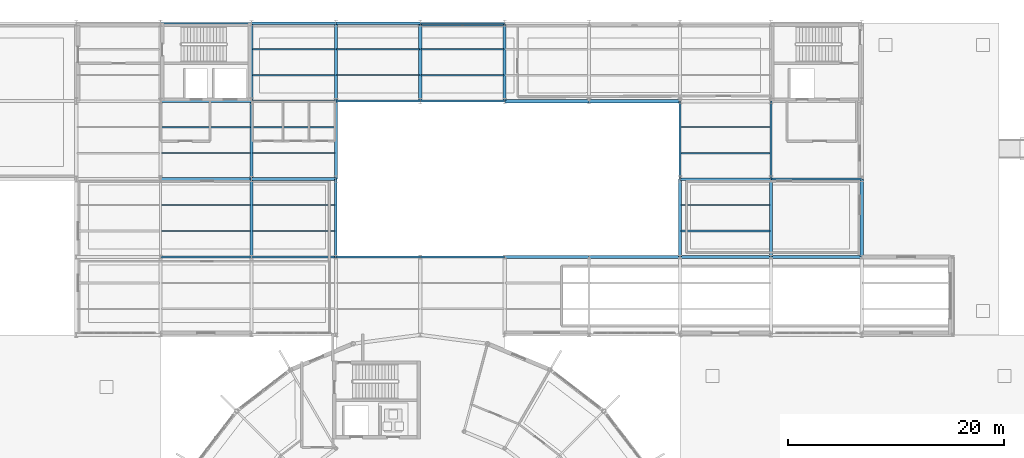
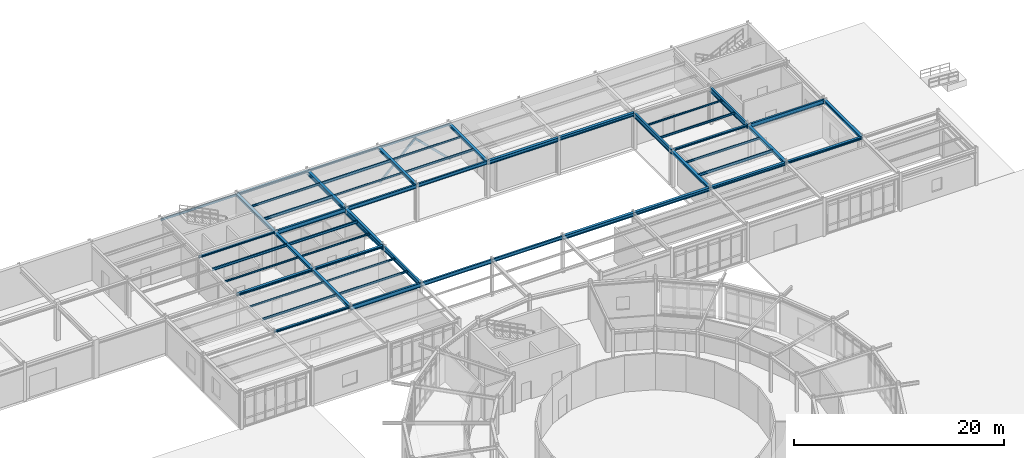
# One storey, part 49 of 101: 53 beams, 2 members.
"""IFC4 building model written with IfcOpenShell, lengths in metres."""

from ifc_helpers import new_model, si_unit, derived_unit, direction, frame, origin, origin_2d, place, context, subcontext, project, spatial, hollow_rectangle, i_section, extrude, material, material_profile, profile_set, type_object, element, save


model = new_model("IFC4")

# Units and contexts
model_context = context("Model", 3, precision=1e-05, world=origin(), true_north=direction((0.0, 1.0)))
body_context = subcontext(model_context, "Body", "Model", "MODEL_VIEW")
ifc_project = project(units=[si_unit("LENGTHUNIT", "METRE"), si_unit("AREAUNIT", "SQUARE_METRE"), si_unit("VOLUMEUNIT", "CUBIC_METRE"), si_unit("PLANEANGLEUNIT", "RADIAN"), si_unit("MASSUNIT", "GRAM", prefix="KILO"), derived_unit("THERMALTRANSMITTANCEUNIT", [(si_unit("POWERUNIT", "WATT"), 1), (si_unit("AREAUNIT", "SQUARE_METRE"), -1), (si_unit("THERMODYNAMICTEMPERATUREUNIT", "KELVIN"), -1)])], contexts=[model_context])

# Site, building, storey
site_placement = place(None, origin())
site = spatial("IfcSite", under=ifc_project, at=site_placement, CompositionType="ELEMENT")
building_placement = place(site_placement, origin())
building = spatial("IfcBuilding", under=site, at=building_placement, Name="Yasenodar Specialist Clinic", CompositionType="ELEMENT")
storey_placement = place(building_placement, origin())
storey = spatial("IfcBuildingStorey", under=building, at=storey_placement, Name="L00", CompositionType="ELEMENT", Elevation=0.0)

# Beams
ifc_material = material(Name="Steel S355", Category="steel")
ifc_material_profile_1 = material_profile(ifc_material, i_section(OverallWidth=0.219970703125, OverallDepth=0.2099609375, WebThickness=0.007080078125, FlangeThickness=0.010986328125, FilletRadius=0.01806640625, at=origin_2d()), Name="HEA 220")
ifc_profile_set_1 = profile_set([ifc_material_profile_1], Name="Steel S355")
beam_type_1 = type_object("IfcBeamType", Name="BM-HEA220", PredefinedType="BEAM", material=ifc_profile_set_1)
for number, where, z_axis, x_axis, name in (
    (1, (57.0, 90.0, 4.14501953125), (1.0, 0.0, 0.0), (0.0, 1.0, 0.0), "L00 Primary E-W Girder"),
    (2, (105.0, 97.199951171875, 4.14501953125), (1.0, 0.0, 0.0), (0.0, 1.0, 0.0), "L00 Primary E-W Girder"),
    (3, (57.0, 104.39990234375, 4.14501953125), (1.0, 0.0, 0.0), (0.0, 1.0, 0.0), "L00 Primary E-W Girder"),
):
    element("IfcBeam", number, at=place(storey_placement, frame(where, z_axis=z_axis, x_axis=x_axis)), inside=storey, type_object=beam_type_1, Name=name, PredefinedType="BEAM", context=body_context, shape_type="SweptSolid", body=[
        extrude(i_section(OverallWidth=0.219970703125, OverallDepth=0.2099609375, WebThickness=0.007080078125, FlangeThickness=0.010986328125, FilletRadius=0.01806640625, at=origin_2d()), origin(), (0.0, 0.0, 1.0), 8.39990234375),
    ])
ifc_material_profile_2 = material_profile(ifc_material, i_section(OverallWidth=0.260009765625, OverallDepth=0.25, WebThickness=0.007568359375, FlangeThickness=0.012451171875, FilletRadius=0.02392578125, at=origin_2d()), Name="HEA 260")
ifc_profile_set_2 = profile_set([ifc_material_profile_2], Name="Steel S355")
beam_type_2 = type_object("IfcBeamType", Name="BM-HEA260", PredefinedType="BEAM", material=ifc_profile_set_2)
beam_1_placement = place(storey_placement, frame((65.39990234375, 97.199951171875, 4.125), z_axis=(1.0, 0.0, 0.0), x_axis=(0.0, 1.0, 0.0)))
element("IfcBeam", 4, at=beam_1_placement, inside=storey, type_object=beam_type_2, Name="L00 Primary E-W Girder", PredefinedType="BEAM", context=body_context, shape_type="SweptSolid", body=[
    extrude(i_section(OverallWidth=0.260009765625, OverallDepth=0.25, WebThickness=0.007568359375, FlangeThickness=0.012451171875, FilletRadius=0.02392578125, at=origin_2d()), origin(), (0.0, 0.0, 1.0), 7.800048828125),
])
ifc_material_profile_3 = material_profile(ifc_material, i_section(OverallWidth=0.280029296875, OverallDepth=0.27001953125, WebThickness=0.008056640625, FlangeThickness=0.012939453125, FilletRadius=0.02392578125, at=origin_2d()), Name="HEA 280")
ifc_profile_set_3 = profile_set([ifc_material_profile_3], Name="Steel S355")
beam_type_3 = type_object("IfcBeamType", Name="BM-HEA280", PredefinedType="BEAM", material=ifc_profile_set_3)
beam_2_placement = place(storey_placement, frame((113.39990234375, 90.0, 4.114990234375), z_axis=(1.0, 0.0, 0.0), x_axis=(0.0, 1.0, 0.0)))
element("IfcBeam", 5, at=beam_2_placement, inside=storey, type_object=beam_type_3, Name="L00 Primary E-W Girder", PredefinedType="BEAM", context=body_context, shape_type="SweptSolid", body=[
    extrude(i_section(OverallWidth=0.280029296875, OverallDepth=0.27001953125, WebThickness=0.008056640625, FlangeThickness=0.012939453125, FilletRadius=0.02392578125, at=origin_2d()), origin(), (0.0, 0.0, 1.0), 8.400146484375),
])
beam_3_placement = place(storey_placement, frame((57.0, 97.199951171875, 4.114990234375), z_axis=(1.0, 0.0, 0.0), x_axis=(0.0, 1.0, 0.0)))
element("IfcBeam", 6, at=beam_3_placement, inside=storey, type_object=beam_type_3, Name="L00 Primary E-W Girder", PredefinedType="BEAM", context=body_context, shape_type="SweptSolid", body=[
    extrude(i_section(OverallWidth=0.280029296875, OverallDepth=0.27001953125, WebThickness=0.008056640625, FlangeThickness=0.012939453125, FilletRadius=0.02392578125, at=origin_2d()), origin(), (0.0, 0.0, 1.0), 8.39990234375),
])
ifc_material_profile_4 = material_profile(ifc_material, i_section(OverallWidth=0.300048828125, OverallDepth=0.2900390625, WebThickness=0.008544921875, FlangeThickness=0.013916015625, FilletRadius=0.027099609375, at=origin_2d()), Name="HEA 300")
ifc_profile_set_4 = profile_set([ifc_material_profile_4], Name="Steel S355")
beam_type_4 = type_object("IfcBeamType", Name="BM-HEA300", PredefinedType="BEAM", material=ifc_profile_set_4)
for number, where, z_axis, x_axis, name in (
    (7, (105.0, 90.0, 4.10498046875), (0.0, 1.0, 0.0), (-1.0, 0.0, 0.0), "L00 Primary N-S Girder"),
    (8, (113.39990234375, 90.0, 4.10498046875), (0.0, 1.0, 0.0), (-1.0, 0.0, 0.0), "L00 Primary N-S Girder"),
):
    element("IfcBeam", number, at=place(storey_placement, frame(where, z_axis=z_axis, x_axis=x_axis)), inside=storey, type_object=beam_type_4, Name=name, PredefinedType="BEAM", context=body_context, shape_type="SweptSolid", body=[
        extrude(i_section(OverallWidth=0.300048828125, OverallDepth=0.2900390625, WebThickness=0.008544921875, FlangeThickness=0.013916015625, FilletRadius=0.027099609375, at=origin_2d()), origin(), (0.0, 0.0, 1.0), 7.199951171875),
    ])
ifc_material_profile_5 = material_profile(ifc_material, i_section(OverallWidth=0.300048828125, OverallDepth=0.330078125, WebThickness=0.009521484375, FlangeThickness=0.0166015625, FilletRadius=0.027099609375, at=origin_2d()), Name="HEA 340")
ifc_profile_set_5 = profile_set([ifc_material_profile_5], Name="Steel S355")
beam_type_5 = type_object("IfcBeamType", Name="BM-HEA340", PredefinedType="BEAM", material=ifc_profile_set_5)
beam_4_placement = place(storey_placement, frame((105.0, 90.0, 4.0849609375), z_axis=(1.0, 0.0, 0.0), x_axis=(0.0, 1.0, 0.0)))
element("IfcBeam", 9, at=beam_4_placement, inside=storey, type_object=beam_type_5, Name="L00 Primary E-W Girder", PredefinedType="BEAM", context=body_context, shape_type="SweptSolid", body=[
    extrude(i_section(OverallWidth=0.300048828125, OverallDepth=0.330078125, WebThickness=0.009521484375, FlangeThickness=0.0166015625, FilletRadius=0.027099609375, at=origin_2d()), origin(), (0.0, 0.0, 1.0), 8.39990234375),
])
ifc_material_profile_6 = material_profile(ifc_material, i_section(OverallWidth=0.300048828125, OverallDepth=0.389892578125, WebThickness=0.010986328125, FlangeThickness=0.01904296875, FilletRadius=0.027099609375, at=origin_2d()), Name="HEA 400")
ifc_profile_set_6 = profile_set([ifc_material_profile_6], Name="Steel S355")
beam_type_6 = type_object("IfcBeamType", Name="BM-HEA400", PredefinedType="BEAM", material=ifc_profile_set_6)
for number, where, z_axis, x_axis, name in (
    (10, (96.60009765625, 90.0, 4.054931640625), (1.0, 0.0, 0.0), (0.0, 1.0, 0.0), "L00 Primary E-W Girder"),
    (11, (96.60009765625, 104.39990234375, 4.054931640625), (1.0, 0.0, 0.0), (0.0, 1.0, 0.0), "L00 Primary E-W Girder"),
):
    element("IfcBeam", number, at=place(storey_placement, frame(where, z_axis=z_axis, x_axis=x_axis)), inside=storey, type_object=beam_type_6, Name=name, PredefinedType="BEAM", context=body_context, shape_type="SweptSolid", body=[
        extrude(i_section(OverallWidth=0.300048828125, OverallDepth=0.389892578125, WebThickness=0.010986328125, FlangeThickness=0.01904296875, FilletRadius=0.027099609375, at=origin_2d()), origin(), (0.0, 0.0, 1.0), 8.39990234375),
    ])
ifc_material_profile_7 = material_profile(ifc_material, i_section(OverallWidth=0.300048828125, OverallDepth=0.43994140625, WebThickness=0.011474609375, FlangeThickness=0.02099609375, FilletRadius=0.027099609375, at=origin_2d()), Name="HEA 450")
ifc_profile_set_7 = profile_set([ifc_material_profile_7], Name="Steel S355")
beam_type_7 = type_object("IfcBeamType", Name="BM-HEA450", PredefinedType="BEAM", material=ifc_profile_set_7)
for number, where, z_axis, x_axis, name in (
    (12, (88.800048828125, 90.0, 4.030029296875), (1.0, 0.0, 0.0), (0.0, 1.0, 0.0), "L00 Primary E-W Girder"),
    (13, (88.800048828125, 104.39990234375, 4.030029296875), (1.0, 0.0, 0.0), (0.0, 1.0, 0.0), "L00 Primary E-W Girder"),
):
    element("IfcBeam", number, at=place(storey_placement, frame(where, z_axis=z_axis, x_axis=x_axis)), inside=storey, type_object=beam_type_7, Name=name, PredefinedType="BEAM", context=body_context, shape_type="SweptSolid", body=[
        extrude(i_section(OverallWidth=0.300048828125, OverallDepth=0.43994140625, WebThickness=0.011474609375, FlangeThickness=0.02099609375, FilletRadius=0.027099609375, at=origin_2d()), origin(), (0.0, 0.0, 1.0), 7.800048828125),
    ])
ifc_material_profile_8 = material_profile(ifc_material, i_section(OverallWidth=0.280029296875, OverallDepth=0.280029296875, WebThickness=0.010498046875, FlangeThickness=0.01806640625, FilletRadius=0.02392578125, at=origin_2d()), Name="HEB 280")
ifc_profile_set_8 = profile_set([ifc_material_profile_8], Name="Steel S355")
beam_type_8 = type_object("IfcBeamType", Name="BM-HEB280", PredefinedType="BEAM", material=ifc_profile_set_8)
for number, where, z_axis, x_axis, name in (
    (14, (65.39990234375, 104.39990234375, 4.110107421875), (0.0, 1.0, 0.0), (-1.0, 0.0, 0.0), "L00 Primary N-S Girder"),
    (15, (88.800048828125, 104.39990234375, 4.110107421875), (0.0, 1.0, 0.0), (-1.0, 0.0, 0.0), "L00 Primary N-S Girder"),
):
    element("IfcBeam", number, at=place(storey_placement, frame(where, z_axis=z_axis, x_axis=x_axis)), inside=storey, type_object=beam_type_8, Name=name, PredefinedType="BEAM", context=body_context, shape_type="SweptSolid", body=[
        extrude(i_section(OverallWidth=0.280029296875, OverallDepth=0.280029296875, WebThickness=0.010498046875, FlangeThickness=0.01806640625, FilletRadius=0.02392578125, at=origin_2d()), origin(), (0.0, 0.0, 1.0), 7.2001953125),
    ])
ifc_material_profile_9 = material_profile(ifc_material, i_section(OverallWidth=0.300048828125, OverallDepth=0.300048828125, WebThickness=0.010986328125, FlangeThickness=0.01904296875, FilletRadius=0.027099609375, at=origin_2d()), Name="HEB 300")
ifc_profile_set_9 = profile_set([ifc_material_profile_9], Name="Steel S355")
beam_type_9 = type_object("IfcBeamType", Name="BM-HEB300", PredefinedType="BEAM", material=ifc_profile_set_9)
for number, where, z_axis, x_axis, name in (
    (16, (65.39990234375, 97.199951171875, 4.10009765625), (0.0, 1.0, 0.0), (-1.0, 0.0, 0.0), "L00 Primary N-S Girder"),
    (17, (121.800048828125, 90.0, 4.10009765625), (0.0, 1.0, 0.0), (-1.0, 0.0, 0.0), "L00 Primary N-S Girder"),
):
    element("IfcBeam", number, at=place(storey_placement, frame(where, z_axis=z_axis, x_axis=x_axis)), inside=storey, type_object=beam_type_9, Name=name, PredefinedType="BEAM", context=body_context, shape_type="SweptSolid", body=[
        extrude(i_section(OverallWidth=0.300048828125, OverallDepth=0.300048828125, WebThickness=0.010986328125, FlangeThickness=0.01904296875, FilletRadius=0.027099609375, at=origin_2d()), origin(), (0.0, 0.0, 1.0), 7.199951171875),
    ])
ifc_material_profile_10 = material_profile(ifc_material, i_section(OverallWidth=0.300048828125, OverallDepth=0.340087890625, WebThickness=0.011962890625, FlangeThickness=0.021484375, FilletRadius=0.027099609375, at=origin_2d()), Name="HEB 340")
ifc_profile_set_10 = profile_set([ifc_material_profile_10], Name="Steel S355")
beam_type_10 = type_object("IfcBeamType", Name="BM-HEB340", PredefinedType="BEAM", material=ifc_profile_set_10)
beam_5_placement = place(storey_placement, frame((65.39990234375, 90.0, 4.080078125), z_axis=(0.0, 1.0, 0.0), x_axis=(-1.0, 0.0, 0.0)))
element("IfcBeam", 18, at=beam_5_placement, inside=storey, type_object=beam_type_10, Name="L00 Primary N-S Girder", PredefinedType="BEAM", context=body_context, shape_type="SweptSolid", body=[
    extrude(i_section(OverallWidth=0.300048828125, OverallDepth=0.340087890625, WebThickness=0.011962890625, FlangeThickness=0.021484375, FilletRadius=0.027099609375, at=origin_2d()), origin(), (0.0, 0.0, 1.0), 7.199951171875),
])
beam_6_placement = place(storey_placement, frame((81.0, 104.39990234375, 4.080078125), z_axis=(0.0, 1.0, 0.0), x_axis=(-1.0, 0.0, 0.0)))
element("IfcBeam", 19, at=beam_6_placement, inside=storey, type_object=beam_type_10, Name="L00 Primary N-S Girder", PredefinedType="BEAM", context=body_context, shape_type="SweptSolid", body=[
    extrude(i_section(OverallWidth=0.300048828125, OverallDepth=0.340087890625, WebThickness=0.011962890625, FlangeThickness=0.021484375, FilletRadius=0.027099609375, at=origin_2d()), origin(), (0.0, 0.0, 1.0), 7.2001953125),
])
ifc_material_profile_11 = material_profile(ifc_material, i_section(OverallWidth=0.300048828125, OverallDepth=0.449951171875, WebThickness=0.013916015625, FlangeThickness=0.02587890625, FilletRadius=0.027099609375, at=origin_2d()), Name="HEB 450")
ifc_profile_set_11 = profile_set([ifc_material_profile_11], Name="Steel S355")
beam_type_11 = type_object("IfcBeamType", Name="BM-HEB450", PredefinedType="BEAM", material=ifc_profile_set_11)
beam_7_placement = place(storey_placement, frame((73.199951171875, 104.39990234375, 4.02490234375), z_axis=(0.0, 1.0, 0.0), x_axis=(-1.0, 0.0, 0.0)))
element("IfcBeam", 20, at=beam_7_placement, inside=storey, type_object=beam_type_11, Name="L00 Primary N-S Girder", PredefinedType="BEAM", context=body_context, shape_type="SweptSolid", body=[
    extrude(i_section(OverallWidth=0.300048828125, OverallDepth=0.449951171875, WebThickness=0.013916015625, FlangeThickness=0.02587890625, FilletRadius=0.027099609375, at=origin_2d()), origin(), (0.0, 0.0, 1.0), 7.2001953125),
])
ifc_material_profile_12 = material_profile(ifc_material, i_section(OverallWidth=0.300048828125, OverallDepth=0.60009765625, WebThickness=0.015380859375, FlangeThickness=0.030029296875, FilletRadius=0.027099609375, at=origin_2d()), Name="HEB 600")
ifc_profile_set_12 = profile_set([ifc_material_profile_12], Name="Steel S355")
beam_type_12 = type_object("IfcBeamType", Name="BM-HEB600", PredefinedType="BEAM", material=ifc_profile_set_12)
beam_8_placement = place(storey_placement, frame((73.199951171875, 97.199951171875, 3.949951171875), z_axis=(0.0, 1.0, 0.0), x_axis=(-1.0, 0.0, 0.0)))
element("IfcBeam", 21, at=beam_8_placement, inside=storey, type_object=beam_type_12, Name="L00 Primary N-S Girder", PredefinedType="BEAM", context=body_context, shape_type="SweptSolid", body=[
    extrude(i_section(OverallWidth=0.300048828125, OverallDepth=0.60009765625, WebThickness=0.015380859375, FlangeThickness=0.030029296875, FilletRadius=0.027099609375, at=origin_2d()), origin(), (0.0, 0.0, 1.0), 7.199951171875),
])
ifc_material_profile_13 = material_profile(ifc_material, i_section(OverallWidth=0.179931640625, OverallDepth=0.39990234375, WebThickness=0.008544921875, FlangeThickness=0.013427734375, FilletRadius=0.02099609375, at=origin_2d()), Name="IPE 400")
ifc_profile_set_13 = profile_set([ifc_material_profile_13], Name="Steel S355")
beam_type_13 = type_object("IfcBeamType", Name="BM-IPE400", PredefinedType="BEAM", material=ifc_profile_set_13)
for number, where, z_axis, x_axis, name in (
    (22, (81.0, 90.0, 4.050048828125), (1.0, 0.0, 0.0), (0.0, 1.0, 0.0), "L00 Primary E-W Girder"),
    (23, (81.0, 104.39990234375, 4.050048828125), (1.0, 0.0, 0.0), (0.0, 1.0, 0.0), "L00 Primary E-W Girder"),
):
    element("IfcBeam", number, at=place(storey_placement, frame(where, z_axis=z_axis, x_axis=x_axis)), inside=storey, type_object=beam_type_13, Name=name, PredefinedType="BEAM", context=body_context, shape_type="SweptSolid", body=[
        extrude(i_section(OverallWidth=0.179931640625, OverallDepth=0.39990234375, WebThickness=0.008544921875, FlangeThickness=0.013427734375, FilletRadius=0.02099609375, at=origin_2d()), origin(), (0.0, 0.0, 1.0), 7.800048828125),
    ])
ifc_material_profile_14 = material_profile(ifc_material, i_section(OverallWidth=0.18994140625, OverallDepth=0.449951171875, WebThickness=0.009521484375, FlangeThickness=0.0146484375, FilletRadius=0.02099609375, at=origin_2d()), Name="IPE 450")
ifc_profile_set_14 = profile_set([ifc_material_profile_14], Name="Steel S355")
beam_type_14 = type_object("IfcBeamType", Name="BM-IPE450", PredefinedType="BEAM", material=ifc_profile_set_14)
for number, where, z_axis, x_axis, name in (
    (24, (73.199951171875, 90.0, 4.02490234375), (1.0, 0.0, 0.0), (0.0, 1.0, 0.0), "L00 Primary E-W Girder"),
    (25, (73.199951171875, 104.39990234375, 4.02490234375), (1.0, 0.0, 0.0), (0.0, 1.0, 0.0), "L00 Primary E-W Girder"),
):
    element("IfcBeam", number, at=place(storey_placement, frame(where, z_axis=z_axis, x_axis=x_axis)), inside=storey, type_object=beam_type_14, Name=name, PredefinedType="BEAM", context=body_context, shape_type="SweptSolid", body=[
        extrude(i_section(OverallWidth=0.18994140625, OverallDepth=0.449951171875, WebThickness=0.009521484375, FlangeThickness=0.0146484375, FilletRadius=0.02099609375, at=origin_2d()), origin(), (0.0, 0.0, 1.0), 7.800048828125),
    ])
ifc_material_profile_15 = material_profile(ifc_material, i_section(OverallWidth=0.199951171875, OverallDepth=0.5, WebThickness=0.01025390625, FlangeThickness=0.01611328125, FilletRadius=0.02099609375, at=origin_2d()), Name="IPE 500")
ifc_profile_set_15 = profile_set([ifc_material_profile_15], Name="Steel S355")
beam_type_15 = type_object("IfcBeamType", Name="BM-IPE500", PredefinedType="BEAM", material=ifc_profile_set_15)
beam_9_placement = place(storey_placement, frame((65.39990234375, 90.0, 4.0), z_axis=(1.0, 0.0, 0.0), x_axis=(0.0, 1.0, 0.0)))
element("IfcBeam", 26, at=beam_9_placement, inside=storey, type_object=beam_type_15, Name="L00 Primary E-W Girder", PredefinedType="BEAM", context=body_context, shape_type="SweptSolid", body=[
    extrude(i_section(OverallWidth=0.199951171875, OverallDepth=0.5, WebThickness=0.01025390625, FlangeThickness=0.01611328125, FilletRadius=0.02099609375, at=origin_2d()), origin(), (0.0, 0.0, 1.0), 7.800048828125),
])
beam_10_placement = place(storey_placement, frame((113.39990234375, 97.199951171875, 4.0), z_axis=(1.0, 0.0, 0.0), x_axis=(0.0, 1.0, 0.0)))
element("IfcBeam", 27, at=beam_10_placement, inside=storey, type_object=beam_type_15, Name="L00 Primary E-W Girder", PredefinedType="BEAM", context=body_context, shape_type="SweptSolid", body=[
    extrude(i_section(OverallWidth=0.199951171875, OverallDepth=0.5, WebThickness=0.01025390625, FlangeThickness=0.01611328125, FilletRadius=0.02099609375, at=origin_2d()), origin(), (0.0, 0.0, 1.0), 8.400146484375),
])
beam_11_placement = place(storey_placement, frame((65.39990234375, 104.39990234375, 4.0), z_axis=(1.0, 0.0, 0.0), x_axis=(0.0, 1.0, 0.0)))
element("IfcBeam", 28, at=beam_11_placement, inside=storey, type_object=beam_type_15, Name="L00 Primary E-W Girder", PredefinedType="BEAM", context=body_context, shape_type="SweptSolid", body=[
    extrude(i_section(OverallWidth=0.199951171875, OverallDepth=0.5, WebThickness=0.01025390625, FlangeThickness=0.01611328125, FilletRadius=0.02099609375, at=origin_2d()), origin(), (0.0, 0.0, 1.0), 7.800048828125),
])
ifc_material_profile_16 = material_profile(ifc_material, i_section(OverallWidth=0.2099609375, OverallDepth=0.550048828125, WebThickness=0.010986328125, FlangeThickness=0.01708984375, FilletRadius=0.02392578125, at=origin_2d()), Name="IPE 550")
ifc_profile_set_16 = profile_set([ifc_material_profile_16], Name="Steel S355")
beam_type_16 = type_object("IfcBeamType", Name="BM-IPE550", PredefinedType="BEAM", material=ifc_profile_set_16)
for number, where, z_axis, x_axis, name in (
    (29, (73.199951171875, 90.0, 3.97509765625), (0.0, 1.0, 0.0), (-1.0, 0.0, 0.0), "L00 Primary N-S Girder"),
    (30, (105.0, 97.199951171875, 3.97509765625), (0.0, 1.0, 0.0), (-1.0, 0.0, 0.0), "L00 Primary N-S Girder"),
    (31, (113.39990234375, 97.199951171875, 3.97509765625), (0.0, 1.0, 0.0), (-1.0, 0.0, 0.0), "L00 Primary N-S Girder"),
):
    element("IfcBeam", number, at=place(storey_placement, frame(where, z_axis=z_axis, x_axis=x_axis)), inside=storey, type_object=beam_type_16, Name=name, PredefinedType="BEAM", context=body_context, shape_type="SweptSolid", body=[
        extrude(i_section(OverallWidth=0.2099609375, OverallDepth=0.550048828125, WebThickness=0.010986328125, FlangeThickness=0.01708984375, FilletRadius=0.02392578125, at=origin_2d()), origin(), (0.0, 0.0, 1.0), 7.199951171875),
    ])

# Members
ifc_material_profile_17 = material_profile(ifc_material, hollow_rectangle(XDim=0.14990234375, YDim=0.25, WallThickness=0.010009765625, InnerFilletRadius=0.014892578125, OuterFilletRadius=0.02490234375, at=origin_2d()), Name="RHS 250x150x10")
ifc_profile_set_17 = profile_set([ifc_material_profile_17], Name="Steel S355")
member_type = type_object("IfcMemberType", Name="BR-LAT-RHS250", PredefinedType="BRACE", material=ifc_profile_set_17)
member_1_placement = place(storey_placement, frame((81.0, 111.425048828125, 0.14990234375), z_axis=(0.716216371491, 0.0, 0.697878291114), x_axis=(0.0, 1.0, 0.0)))
element("IfcMember", 32, at=member_1_placement, inside=storey, type_object=member_type, Name="L00 Lateral Chevron Brace 04A", PredefinedType="BRACE", context=body_context, shape_type="SweptSolid", body=[
    extrude(hollow_rectangle(XDim=0.14990234375, YDim=0.25, WallThickness=0.010009765625, InnerFilletRadius=0.014892578125, OuterFilletRadius=0.02490234375, at=origin_2d()), origin(), (0.0, 0.0, 1.0), 5.445068359375),
])
member_2_placement = place(storey_placement, frame((88.800048828125, 111.425048828125, 0.14990234375), z_axis=(-0.716238207287, 0.0, 0.69785588084), x_axis=(0.0, -1.0, 0.0)))
element("IfcMember", 33, at=member_2_placement, inside=storey, type_object=member_type, Name="L00 Lateral Chevron Brace 04B", PredefinedType="BRACE", context=body_context, shape_type="SweptSolid", body=[
    extrude(hollow_rectangle(XDim=0.14990234375, YDim=0.25, WallThickness=0.010009765625, InnerFilletRadius=0.014892578125, OuterFilletRadius=0.02490234375, at=origin_2d()), origin(), (0.0, 0.0, 1.0), 5.4453125),
])

# Beams
ifc_material_profile_18 = material_profile(ifc_material, i_section(OverallWidth=0.10009765625, OverallDepth=0.199951171875, WebThickness=0.005615234375, FlangeThickness=0.008544921875, FilletRadius=0.011962890625, at=origin_2d()), Name="IPE 200")
ifc_profile_set_18 = profile_set([ifc_material_profile_18], Name="Steel S355")
beam_type_17 = type_object("IfcBeamType", Name="JS-IPE200", PredefinedType="JOIST", material=ifc_profile_set_18)
for number, where, z_axis, x_axis, name in (
    (34, (57.080078125, 94.800048828125, 4.14990234375), (1.0, 0.0, 0.0), (0.0, 1.0, 0.0), "L00 Composite Floor Joist"),
    (35, (57.080078125, 99.60009765625, 4.14990234375), (1.0, 0.0, 0.0), (0.0, 1.0, 0.0), "L00 Composite Floor Joist"),
):
    element("IfcBeam", number, at=place(storey_placement, frame(where, z_axis=z_axis, x_axis=x_axis)), inside=storey, type_object=beam_type_17, Name=name, PredefinedType="JOIST", context=body_context, shape_type="SweptSolid", body=[
        extrude(i_section(OverallWidth=0.10009765625, OverallDepth=0.199951171875, WebThickness=0.005615234375, FlangeThickness=0.008544921875, FilletRadius=0.011962890625, at=origin_2d()), origin(), (0.0, 0.0, 1.0), 8.239990234375),
    ])
for number, where, z_axis, x_axis, name in (
    (36, (65.47998046875, 94.800048828125, 4.14990234375), (1.0, 0.0, 0.0), (0.0, 1.0, 0.0), "L00 Composite Floor Joist"),
    (37, (65.47998046875, 99.60009765625, 4.14990234375), (1.0, 0.0, 0.0), (0.0, 1.0, 0.0), "L00 Composite Floor Joist"),
):
    element("IfcBeam", number, at=place(storey_placement, frame(where, z_axis=z_axis, x_axis=x_axis)), inside=storey, type_object=beam_type_17, Name=name, PredefinedType="JOIST", context=body_context, shape_type="SweptSolid", body=[
        extrude(i_section(OverallWidth=0.10009765625, OverallDepth=0.199951171875, WebThickness=0.005615234375, FlangeThickness=0.008544921875, FilletRadius=0.011962890625, at=origin_2d()), origin(), (0.0, 0.0, 1.0), 7.64013671875),
    ])
for number, where, z_axis, x_axis, name in (
    (38, (73.280029296875, 106.800048828125, 4.14990234375), (1.0, 0.0, 0.0), (0.0, 1.0, 0.0), "L00 Composite Floor Joist"),
    (39, (81.080078125, 109.199951171875, 4.14990234375), (1.0, 0.0, 0.0), (0.0, 1.0, 0.0), "L00 Composite Floor Joist"),
):
    element("IfcBeam", number, at=place(storey_placement, frame(where, z_axis=z_axis, x_axis=x_axis)), inside=storey, type_object=beam_type_17, Name=name, PredefinedType="JOIST", context=body_context, shape_type="SweptSolid", body=[
        extrude(i_section(OverallWidth=0.10009765625, OverallDepth=0.199951171875, WebThickness=0.005615234375, FlangeThickness=0.008544921875, FilletRadius=0.011962890625, at=origin_2d()), origin(), (0.0, 0.0, 1.0), 7.639892578125),
    ])
beam_12_placement = place(storey_placement, frame((105.080078125, 102.0, 4.14990234375), z_axis=(1.0, 0.0, 0.0), x_axis=(0.0, 1.0, 0.0)))
element("IfcBeam", 40, at=beam_12_placement, inside=storey, type_object=beam_type_17, Name="L00 Composite Floor Joist", PredefinedType="JOIST", context=body_context, shape_type="SweptSolid", body=[
    extrude(i_section(OverallWidth=0.10009765625, OverallDepth=0.199951171875, WebThickness=0.005615234375, FlangeThickness=0.008544921875, FilletRadius=0.011962890625, at=origin_2d()), origin(), (0.0, 0.0, 1.0), 8.239990234375),
])
ifc_material_profile_19 = material_profile(ifc_material, i_section(OverallWidth=0.1201171875, OverallDepth=0.239990234375, WebThickness=0.006103515625, FlangeThickness=0.009765625, FilletRadius=0.014892578125, at=origin_2d()), Name="IPE 240")
ifc_profile_set_19 = profile_set([ifc_material_profile_19], Name="Steel S355")
beam_type_18 = type_object("IfcBeamType", Name="JS-IPE240", PredefinedType="JOIST", material=ifc_profile_set_19)
beam_13_placement = place(storey_placement, frame((57.080078125, 92.39990234375, 4.1298828125), z_axis=(1.0, 0.0, 0.0), x_axis=(0.0, 1.0, 0.0)))
element("IfcBeam", 41, at=beam_13_placement, inside=storey, type_object=beam_type_18, Name="L00 Composite Floor Joist", PredefinedType="JOIST", context=body_context, shape_type="SweptSolid", body=[
    extrude(i_section(OverallWidth=0.1201171875, OverallDepth=0.239990234375, WebThickness=0.006103515625, FlangeThickness=0.009765625, FilletRadius=0.014892578125, at=origin_2d()), origin(), (0.0, 0.0, 1.0), 8.239990234375),
])
for number, where, z_axis, x_axis, name in (
    (42, (65.47998046875, 92.39990234375, 4.1298828125), (1.0, 0.0, 0.0), (0.0, 1.0, 0.0), "L00 Composite Floor Joist"),
    (43, (65.47998046875, 109.199951171875, 4.1298828125), (1.0, 0.0, 0.0), (0.0, 1.0, 0.0), "L00 Composite Floor Joist"),
):
    element("IfcBeam", number, at=place(storey_placement, frame(where, z_axis=z_axis, x_axis=x_axis)), inside=storey, type_object=beam_type_18, Name=name, PredefinedType="JOIST", context=body_context, shape_type="SweptSolid", body=[
        extrude(i_section(OverallWidth=0.1201171875, OverallDepth=0.239990234375, WebThickness=0.006103515625, FlangeThickness=0.009765625, FilletRadius=0.014892578125, at=origin_2d()), origin(), (0.0, 0.0, 1.0), 7.64013671875),
    ])
beam_14_placement = place(storey_placement, frame((81.080078125, 106.800048828125, 4.1298828125), z_axis=(1.0, 0.0, 0.0), x_axis=(0.0, 1.0, 0.0)))
element("IfcBeam", 44, at=beam_14_placement, inside=storey, type_object=beam_type_18, Name="L00 Composite Floor Joist", PredefinedType="JOIST", context=body_context, shape_type="SweptSolid", body=[
    extrude(i_section(OverallWidth=0.1201171875, OverallDepth=0.239990234375, WebThickness=0.006103515625, FlangeThickness=0.009765625, FilletRadius=0.014892578125, at=origin_2d()), origin(), (0.0, 0.0, 1.0), 7.639892578125),
])
for number, where, z_axis, x_axis, name in (
    (45, (105.080078125, 94.800048828125, 4.1298828125), (1.0, 0.0, 0.0), (0.0, 1.0, 0.0), "L00 Composite Floor Joist"),
    (46, (105.080078125, 99.60009765625, 4.1298828125), (1.0, 0.0, 0.0), (0.0, 1.0, 0.0), "L00 Composite Floor Joist"),
):
    element("IfcBeam", number, at=place(storey_placement, frame(where, z_axis=z_axis, x_axis=x_axis)), inside=storey, type_object=beam_type_18, Name=name, PredefinedType="JOIST", context=body_context, shape_type="SweptSolid", body=[
        extrude(i_section(OverallWidth=0.1201171875, OverallDepth=0.239990234375, WebThickness=0.006103515625, FlangeThickness=0.009765625, FilletRadius=0.014892578125, at=origin_2d()), origin(), (0.0, 0.0, 1.0), 8.239990234375),
    ])
ifc_material_profile_20 = material_profile(ifc_material, i_section(OverallWidth=0.14990234375, OverallDepth=0.300048828125, WebThickness=0.007080078125, FlangeThickness=0.0107421875, FilletRadius=0.014892578125, at=origin_2d()), Name="IPE 300")
ifc_profile_set_20 = profile_set([ifc_material_profile_20], Name="Steel S355")
beam_type_19 = type_object("IfcBeamType", Name="JS-IPE300", PredefinedType="JOIST", material=ifc_profile_set_20)
beam_15_placement = place(storey_placement, frame((57.080078125, 102.0, 4.10009765625), z_axis=(1.0, 0.0, 0.0), x_axis=(0.0, 1.0, 0.0)))
element("IfcBeam", 47, at=beam_15_placement, inside=storey, type_object=beam_type_19, Name="L00 Composite Floor Joist", PredefinedType="JOIST", context=body_context, shape_type="SweptSolid", body=[
    extrude(i_section(OverallWidth=0.14990234375, OverallDepth=0.300048828125, WebThickness=0.007080078125, FlangeThickness=0.0107421875, FilletRadius=0.014892578125, at=origin_2d()), origin(), (0.0, 0.0, 1.0), 8.239990234375),
])
for number, where, z_axis, x_axis, name in (
    (48, (65.47998046875, 102.0, 4.10009765625), (1.0, 0.0, 0.0), (0.0, 1.0, 0.0), "L00 Composite Floor Joist"),
    (49, (65.47998046875, 106.800048828125, 4.10009765625), (1.0, 0.0, 0.0), (0.0, 1.0, 0.0), "L00 Composite Floor Joist"),
):
    element("IfcBeam", number, at=place(storey_placement, frame(where, z_axis=z_axis, x_axis=x_axis)), inside=storey, type_object=beam_type_19, Name=name, PredefinedType="JOIST", context=body_context, shape_type="SweptSolid", body=[
        extrude(i_section(OverallWidth=0.14990234375, OverallDepth=0.300048828125, WebThickness=0.007080078125, FlangeThickness=0.0107421875, FilletRadius=0.014892578125, at=origin_2d()), origin(), (0.0, 0.0, 1.0), 7.64013671875),
    ])
beam_16_placement = place(storey_placement, frame((73.280029296875, 109.199951171875, 4.10009765625), z_axis=(1.0, 0.0, 0.0), x_axis=(0.0, 1.0, 0.0)))
element("IfcBeam", 50, at=beam_16_placement, inside=storey, type_object=beam_type_19, Name="L00 Composite Floor Joist", PredefinedType="JOIST", context=body_context, shape_type="SweptSolid", body=[
    extrude(i_section(OverallWidth=0.14990234375, OverallDepth=0.300048828125, WebThickness=0.007080078125, FlangeThickness=0.0107421875, FilletRadius=0.014892578125, at=origin_2d()), origin(), (0.0, 0.0, 1.0), 7.639892578125),
])
beam_17_placement = place(storey_placement, frame((105.080078125, 92.39990234375, 4.10009765625), z_axis=(1.0, 0.0, 0.0), x_axis=(0.0, 1.0, 0.0)))
element("IfcBeam", 51, at=beam_17_placement, inside=storey, type_object=beam_type_19, Name="L00 Composite Floor Joist", PredefinedType="JOIST", context=body_context, shape_type="SweptSolid", body=[
    extrude(i_section(OverallWidth=0.14990234375, OverallDepth=0.300048828125, WebThickness=0.007080078125, FlangeThickness=0.0107421875, FilletRadius=0.014892578125, at=origin_2d()), origin(), (0.0, 0.0, 1.0), 8.239990234375),
])
ifc_material_profile_21 = material_profile(ifc_material, i_section(OverallWidth=0.199951171875, OverallDepth=0.18994140625, WebThickness=0.006591796875, FlangeThickness=0.010009765625, FilletRadius=0.01806640625, at=origin_2d()), Name="HEA 200")
ifc_profile_set_21 = profile_set([ifc_material_profile_21], Name="Steel S355")
beam_type_20 = type_object("IfcBeamType", Name="SP-HEA200", PredefinedType="SPANDREL", material=ifc_profile_set_21)
beam_18_placement = place(storey_placement, frame((73.199951171875, 111.60009765625, 4.155029296875), z_axis=(1.0, 0.0, 0.0), x_axis=(0.0, 1.0, 0.0)))
element("IfcBeam", 52, at=beam_18_placement, inside=storey, type_object=beam_type_20, Name="L00 Perimeter Spandrel Beam", PredefinedType="SPANDREL", context=body_context, shape_type="SweptSolid", body=[
    extrude(i_section(OverallWidth=0.199951171875, OverallDepth=0.18994140625, WebThickness=0.006591796875, FlangeThickness=0.010009765625, FilletRadius=0.01806640625, at=origin_2d()), origin(), (0.0, 0.0, 1.0), 7.800048828125),
])
ifc_material_profile_22 = material_profile(ifc_material, i_section(OverallWidth=0.239990234375, OverallDepth=0.22998046875, WebThickness=0.007568359375, FlangeThickness=0.011962890625, FilletRadius=0.02099609375, at=origin_2d()), Name="HEA 240")
ifc_profile_set_22 = profile_set([ifc_material_profile_22], Name="Steel S355")
beam_type_21 = type_object("IfcBeamType", Name="SP-HEA240", PredefinedType="SPANDREL", material=ifc_profile_set_22)
beam_19_placement = place(storey_placement, frame((65.39990234375, 111.60009765625, 4.135009765625), z_axis=(1.0, 0.0, 0.0), x_axis=(0.0, 1.0, 0.0)))
element("IfcBeam", 53, at=beam_19_placement, inside=storey, type_object=beam_type_21, Name="L00 Perimeter Spandrel Beam", PredefinedType="SPANDREL", context=body_context, shape_type="SweptSolid", body=[
    extrude(i_section(OverallWidth=0.239990234375, OverallDepth=0.22998046875, WebThickness=0.007568359375, FlangeThickness=0.011962890625, FilletRadius=0.02099609375, at=origin_2d()), origin(), (0.0, 0.0, 1.0), 7.800048828125),
])
ifc_material_profile_23 = material_profile(ifc_material, hollow_rectangle(XDim=0.14990234375, YDim=0.25, WallThickness=0.010009765625, InnerFilletRadius=0.014892578125, OuterFilletRadius=0.02490234375, at=origin_2d()), Name="RHS 250x150x10")
ifc_profile_set_23 = profile_set([ifc_material_profile_23], Name="Steel S355")
beam_type_22 = type_object("IfcBeamType", Name="SP-RHS250", PredefinedType="SPANDREL", material=ifc_profile_set_23)
beam_20_placement = place(storey_placement, frame((57.0, 111.60009765625, 4.125), z_axis=(1.0, 0.0, 0.0), x_axis=(0.0, 1.0, 0.0)))
element("IfcBeam", 54, at=beam_20_placement, inside=storey, type_object=beam_type_22, Name="L00 Perimeter Spandrel Beam", PredefinedType="SPANDREL", context=body_context, shape_type="SweptSolid", body=[
    extrude(hollow_rectangle(XDim=0.14990234375, YDim=0.25, WallThickness=0.010009765625, InnerFilletRadius=0.014892578125, OuterFilletRadius=0.02490234375, at=origin_2d()), origin(), (0.0, 0.0, 1.0), 8.39990234375),
])
beam_21_placement = place(storey_placement, frame((81.0, 111.60009765625, 4.125), z_axis=(1.0, 0.0, 0.0), x_axis=(0.0, 1.0, 0.0)))
element("IfcBeam", 55, at=beam_21_placement, inside=storey, type_object=beam_type_22, Name="L00 Perimeter Spandrel Beam", PredefinedType="SPANDREL", context=body_context, shape_type="SweptSolid", body=[
    extrude(hollow_rectangle(XDim=0.14990234375, YDim=0.25, WallThickness=0.010009765625, InnerFilletRadius=0.014892578125, OuterFilletRadius=0.02490234375, at=origin_2d()), origin(), (0.0, 0.0, 1.0), 7.800048828125),
])

save(model, "model.ifc")
